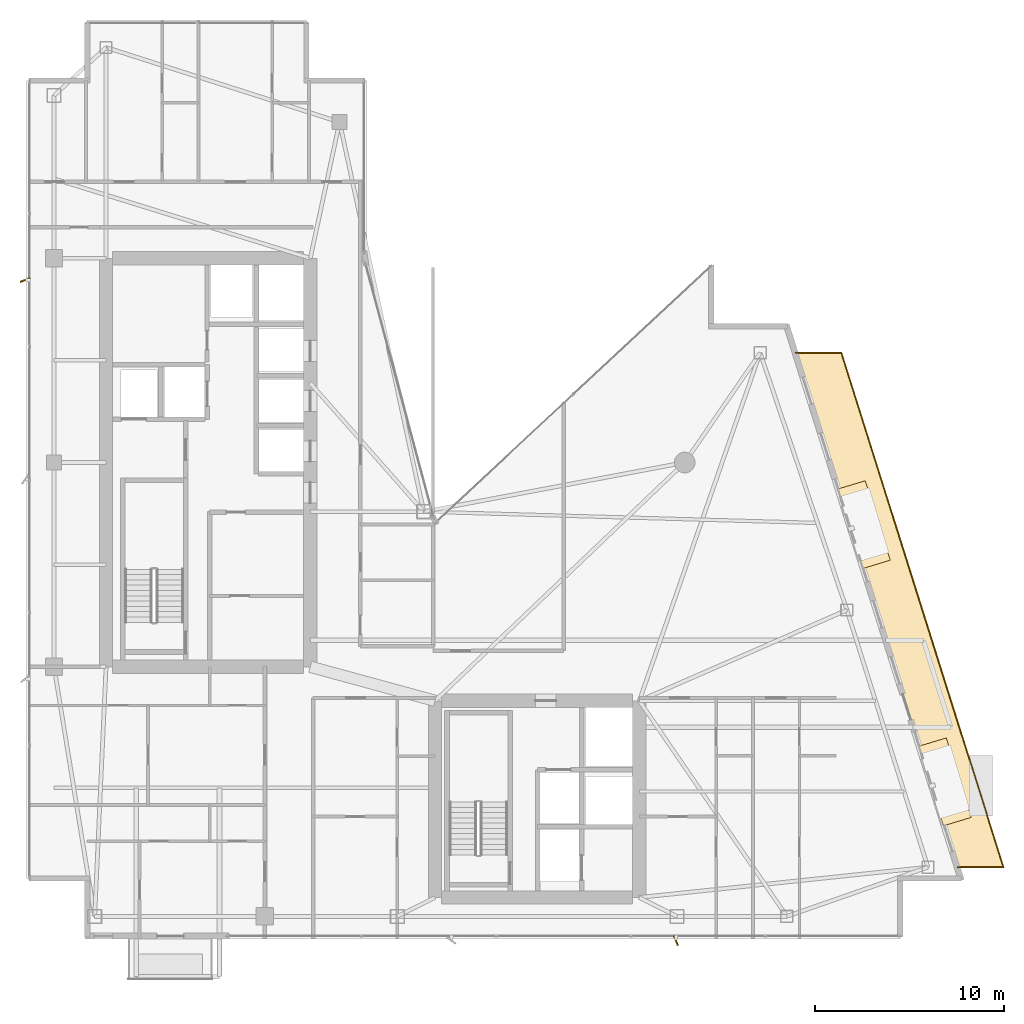
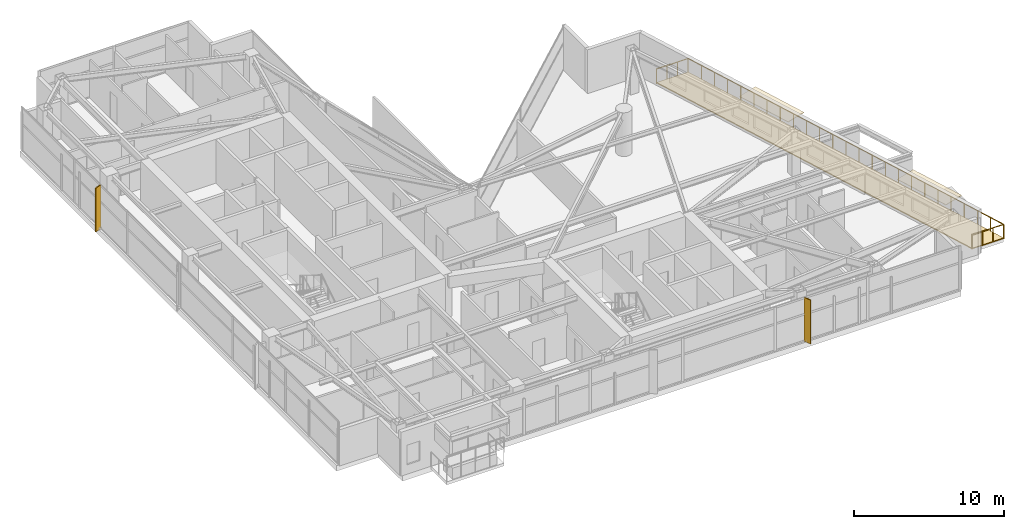
# One storey, part 28 of 28: 3 coverings, 2 shading devices, 1 railing.
"""IFC4 building model written with IfcOpenShell, lengths in metres."""

from ifc_helpers import new_model, si_unit, direction, frame, origin, origin_2d, place, context, subcontext, project, spatial, polyline, rectangle, circle, outline, extrude, material, layer, layer_set, type_object, element, save


model = new_model("IFC4")

# Units and contexts
model_context = context("Model", 3, precision=1e-05, world=origin(), true_north=direction((0.0, 1.0)))
body_context = subcontext(model_context, "Body", "Model", "MODEL_VIEW")
ifc_project = project(units=[si_unit("LENGTHUNIT", "METRE"), si_unit("AREAUNIT", "SQUARE_METRE"), si_unit("VOLUMEUNIT", "CUBIC_METRE"), si_unit("PLANEANGLEUNIT", "RADIAN"), si_unit("MASSUNIT", "GRAM", prefix="KILO")], contexts=[model_context])

# Site, building, storey
site_placement = place(None, origin())
site = spatial("IfcSite", under=ifc_project, at=site_placement, CompositionType="ELEMENT")
building_placement = place(site_placement, origin())
building = spatial("IfcBuilding", under=site, at=building_placement, Name="Calvorn Quay Hotel", CompositionType="ELEMENT")
storey_placement = place(building_placement, frame((0.0, 0.0, 219.300048828125)))
storey = spatial("IfcBuildingStorey", under=building, at=storey_placement, Name="L54", CompositionType="ELEMENT", Elevation=219.300048828125)

# Coverings
ifc_material_1 = material(Name="Pale Anodised Aluminium Rainscreen Cladding", Category="aluminium")
ifc_layer_1 = layer(ifc_material_1, 0.044921875)
ifc_layer_set_1 = layer_set([ifc_layer_1], Name="COV-CROWN-CLAD")
covering_type_1 = type_object("IfcCoveringType", Name="COV-CROWN-CLAD", PredefinedType="CLADDING", material=ifc_layer_set_1)
covering_1_placement = place(storey_placement, frame((0.0, 0.0, 2.5048828125)))
element("IfcCovering", 1, at=covering_1_placement, inside=storey, type_object=covering_type_1, Name="Angled Bay Hood Canopy L54-HOOD-1", PredefinedType="CLADDING", context=body_context, shape_type="SweptSolid", body=[
    extrude(outline(polyline([(47.156982421875, 12.587890625), (48.6298828125, 13.034912109375), (49.952880859375, 8.8349609375), (48.47998046875, 8.387939453125), (47.156982421875, 12.587890625)])), origin(), (0.0, 0.0, 1.0), 0.045166015625),
])
covering_2_placement = place(storey_placement, frame((0.0, 0.0, 2.5048828125)))
element("IfcCovering", 2, at=covering_2_placement, inside=storey, type_object=covering_type_1, Name="Angled Bay Hood Canopy L54-HOOD-3", PredefinedType="CLADDING", context=body_context, shape_type="SweptSolid", body=[
    extrude(outline(polyline([(42.8720703125, 26.18798828125), (44.344970703125, 26.635009765625), (45.66796875, 22.43505859375), (44.195068359375, 21.988037109375), (42.8720703125, 26.18798828125)])), origin(), (0.0, 0.0, 1.0), 0.045166015625),
])
ifc_material_2 = material(Name="Insulated Elastomeric Waterproof Roofing")
ifc_layer_2 = layer(ifc_material_2, 0.080078125)
ifc_layer_set_2 = layer_set([ifc_layer_2], Name="COV-ROOF-MEMBRANE")
covering_type_2 = type_object("IfcCoveringType", Name="COV-ROOF-MEMBRANE", PredefinedType="ROOFING", material=ifc_layer_set_2)
covering_3_placement = place(storey_placement, origin())
element("IfcCovering", 3, at=covering_3_placement, inside=storey, type_object=covering_type_2, Name="Setback Terrace Waterproofing (L54)", PredefinedType="ROOFING", context=body_context, shape_type="SweptSolid", body=[
    extrude(outline(polyline([(49.23095703125, 6.199951171875), (51.660888671875, 6.199951171875), (43.091064453125, 33.39990234375), (40.660888671875, 33.39990234375), (49.23095703125, 6.199951171875)])), origin(), (0.0, 0.0, 1.0), 0.079833984375),
])

# Railing
ifc_material_3 = material(Name="Pale Anodised Aluminium and Laminated Glass", Category="aluminium")
railing_type = type_object("IfcRailingType", Name="RLG-BALUSTRADE-1200", PredefinedType="BALUSTRADE", material=ifc_material_3)
railing_placement = place(storey_placement, frame((49.23095703125, 6.199951171875, 0.0)))
element("IfcRailing", 4, at=railing_placement, inside=storey, type_object=railing_type, Name="Sawtooth Setback Terrace Balustrade (L54)", PredefinedType="BALUSTRADE", context=body_context, shape_type="SweptSolid", body=[
    extrude(circle(Radius=0.02392578125, at=origin_2d()), frame((0.0, 0.0, 1.17578125), z_axis=(1.0, 0.0, 0.0), x_axis=(0.0, 1.0, 0.0)), (0.0, 0.0, 1.0), 2.429931640625),
    extrude(circle(Radius=0.02392578125, at=origin_2d()), frame((2.429931640625, 0.0, 1.17578125), z_axis=(-0.300505256443, 0.953780158553, 0.0), x_axis=(-0.953780158553, -0.300505256443, 0.0)), (0.0, 0.0, 1.0), 28.51806640625),
    extrude(circle(Radius=0.02392578125, at=origin_2d()), frame((-6.139892578125, 27.199951171875, 1.17578125), z_axis=(-1.0, 0.0, 0.0), x_axis=(0.0, -1.0, 0.0)), (0.0, 0.0, 1.0), 2.43017578125),
    extrude(circle(Radius=0.02099609375, at=origin_2d()), origin(), (0.0, 0.0, 1.0), 1.15185546875),
    extrude(circle(Radius=0.02099609375, at=origin_2d()), frame((0.81005859375, 0.0, 0.0)), (0.0, 0.0, 1.0), 1.15185546875),
    extrude(circle(Radius=0.02099609375, at=origin_2d()), frame((1.619873046875, 0.0, 0.0)), (0.0, 0.0, 1.0), 1.15185546875),
    extrude(circle(Radius=0.02099609375, at=origin_2d()), frame((2.429931640625, 0.0, 0.0)), (0.0, 0.0, 1.0), 1.15185546875),
    extrude(circle(Radius=0.02099609375, at=origin_2d()), frame((2.07275390625, 1.13330078125, 0.0)), (0.0, 0.0, 1.0), 1.15185546875),
    extrude(circle(Radius=0.02099609375, at=origin_2d()), frame((1.7158203125, 2.2666015625, 0.0)), (0.0, 0.0, 1.0), 1.15185546875),
    extrude(circle(Radius=0.02099609375, at=origin_2d()), frame((1.358642578125, 3.39990234375, 0.0)), (0.0, 0.0, 1.0), 1.15185546875),
    extrude(circle(Radius=0.02099609375, at=origin_2d()), frame((1.001708984375, 4.533203125, 0.0)), (0.0, 0.0, 1.0), 1.15185546875),
    extrude(circle(Radius=0.02099609375, at=origin_2d()), frame((0.64453125, 5.666748046875, 0.0)), (0.0, 0.0, 1.0), 1.15185546875),
    extrude(circle(Radius=0.02099609375, at=origin_2d()), frame((0.28759765625, 6.800048828125, 0.0)), (0.0, 0.0, 1.0), 1.15185546875),
    extrude(circle(Radius=0.02099609375, at=origin_2d()), frame((-0.069580078125, 7.933349609375, 0.0)), (0.0, 0.0, 1.0), 1.15185546875),
    extrude(circle(Radius=0.02099609375, at=origin_2d()), frame((-0.4267578125, 9.066650390625, 0.0)), (0.0, 0.0, 1.0), 1.15185546875),
    extrude(circle(Radius=0.02099609375, at=origin_2d()), frame((-0.78369140625, 10.199951171875, 0.0)), (0.0, 0.0, 1.0), 1.15185546875),
    extrude(circle(Radius=0.02099609375, at=origin_2d()), frame((-1.140869140625, 11.333251953125, 0.0)), (0.0, 0.0, 1.0), 1.15185546875),
    extrude(circle(Radius=0.02099609375, at=origin_2d()), frame((-1.497802734375, 12.466552734375, 0.0)), (0.0, 0.0, 1.0), 1.15185546875),
    extrude(circle(Radius=0.02099609375, at=origin_2d()), frame((-1.85498046875, 13.60009765625, 0.0)), (0.0, 0.0, 1.0), 1.15185546875),
    extrude(circle(Radius=0.02099609375, at=origin_2d()), frame((-2.212158203125, 14.7333984375, 0.0)), (0.0, 0.0, 1.0), 1.15185546875),
    extrude(circle(Radius=0.02099609375, at=origin_2d()), frame((-2.569091796875, 15.86669921875, 0.0)), (0.0, 0.0, 1.0), 1.15185546875),
    extrude(circle(Radius=0.02099609375, at=origin_2d()), frame((-2.92626953125, 17.0, 0.0)), (0.0, 0.0, 1.0), 1.15185546875),
    extrude(circle(Radius=0.02099609375, at=origin_2d()), frame((-3.283203125, 18.13330078125, 0.0)), (0.0, 0.0, 1.0), 1.15185546875),
    extrude(circle(Radius=0.02099609375, at=origin_2d()), frame((-3.640380859375, 19.2666015625, 0.0)), (0.0, 0.0, 1.0), 1.15185546875),
    extrude(circle(Radius=0.02099609375, at=origin_2d()), frame((-3.99755859375, 20.39990234375, 0.0)), (0.0, 0.0, 1.0), 1.15185546875),
    extrude(circle(Radius=0.02099609375, at=origin_2d()), frame((-4.3544921875, 21.533203125, 0.0)), (0.0, 0.0, 1.0), 1.15185546875),
    extrude(circle(Radius=0.02099609375, at=origin_2d()), frame((-4.711669921875, 22.66650390625, 0.0)), (0.0, 0.0, 1.0), 1.15185546875),
    extrude(circle(Radius=0.02099609375, at=origin_2d()), frame((-5.068603515625, 23.800048828125, 0.0)), (0.0, 0.0, 1.0), 1.15185546875),
    extrude(circle(Radius=0.02099609375, at=origin_2d()), frame((-5.42578125, 24.933349609375, 0.0)), (0.0, 0.0, 1.0), 1.15185546875),
    extrude(circle(Radius=0.02099609375, at=origin_2d()), frame((-5.78271484375, 26.066650390625, 0.0)), (0.0, 0.0, 1.0), 1.15185546875),
    extrude(circle(Radius=0.02099609375, at=origin_2d()), frame((-6.139892578125, 27.199951171875, 0.0)), (0.0, 0.0, 1.0), 1.15185546875),
    extrude(circle(Radius=0.02099609375, at=origin_2d()), frame((-6.949951171875, 27.199951171875, 0.0)), (0.0, 0.0, 1.0), 1.15185546875),
    extrude(circle(Radius=0.02099609375, at=origin_2d()), frame((-7.760009765625, 27.199951171875, 0.0)), (0.0, 0.0, 1.0), 1.15185546875),
    extrude(circle(Radius=0.02099609375, at=origin_2d()), frame((-8.570068359375, 27.199951171875, 0.0)), (0.0, 0.0, 1.0), 1.15185546875),
])

# Shading devices
ifc_material_4 = material(Name="Champagne Bronze Anodised Aluminium 6063-T6", Category="aluminium")
shading_device_type = type_object("IfcShadingDeviceType", Name="SHD-FIN-A1", PredefinedType="USERDEFINED", material=ifc_material_4)
for number, where, z_axis, x_axis, name in (
    (5, (-0.080078125, 37.25, 0.0), (0.0, 0.0, 1.0), (0.927183854567, 0.374606593416, 0.0), "Diagonal Sun-Shading Fin L54-W03"),
    (6, (34.3330078125, 2.320068359375, 0.0), (0.0, 0.0, 1.0), (-0.374606593416, 0.927183854567, 0.0), "Diagonal Sun-Shading Fin L54-S02"),
):
    element("IfcShadingDevice", number, at=place(storey_placement, frame(where, z_axis=z_axis, x_axis=x_axis)), inside=storey, type_object=shading_device_type, Name=name, ObjectType="FIN", PredefinedType="USERDEFINED", context=body_context, shape_type="SweptSolid", body=[
        extrude(rectangle(XDim=0.550048828125, YDim=0.080078125, at=origin_2d()), origin(), (0.0, 0.0, 1.0), 3.56005859375),
    ])

save(model, "model.ifc")
